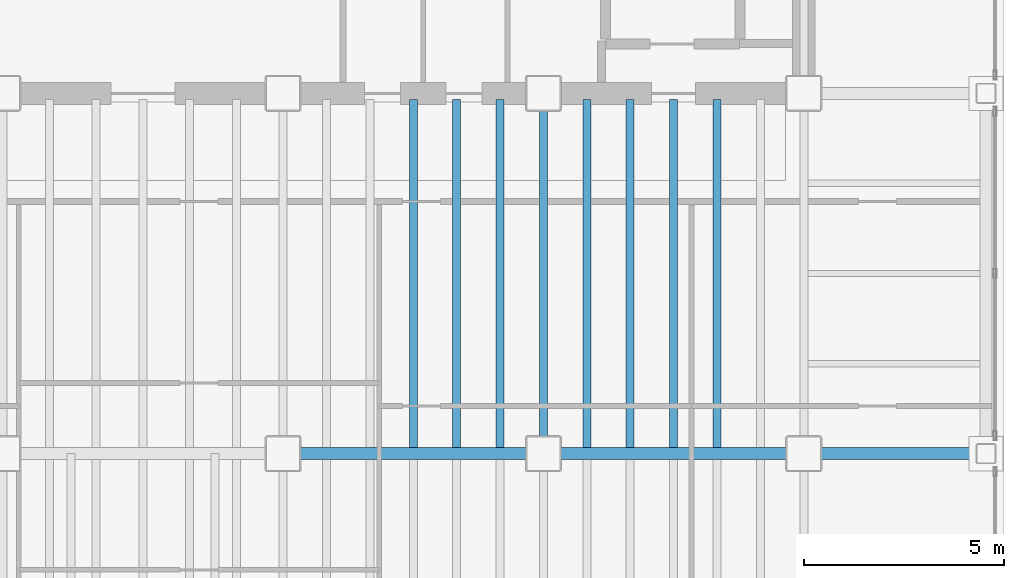
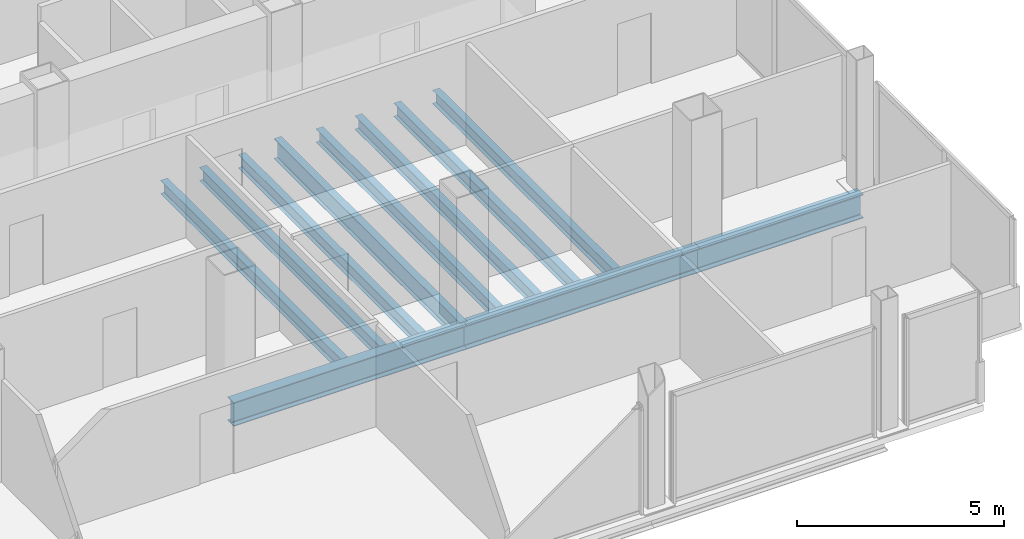
# One storey, part 15 of 22: 11 beams.
"""IFC4 building model written with IfcOpenShell, lengths in metres."""

from ifc_helpers import new_model, si_unit, direction, frame, origin, origin_2d, place, context, subcontext, project, spatial, i_section, extrude, material, material_profile, profile_set, type_object, element, save


model = new_model("IFC4")

# Units and contexts
model_context = context("Model", 3, precision=1e-05, world=origin(), true_north=direction((0.0, 1.0)))
body_context = subcontext(model_context, "Body", "Model", "MODEL_VIEW")
ifc_project = project(units=[si_unit("LENGTHUNIT", "METRE"), si_unit("AREAUNIT", "SQUARE_METRE"), si_unit("VOLUMEUNIT", "CUBIC_METRE"), si_unit("PLANEANGLEUNIT", "RADIAN"), si_unit("MASSUNIT", "GRAM", prefix="KILO")], contexts=[model_context])

# Site, building, storey
site_placement = place(None, origin())
site = spatial("IfcSite", under=ifc_project, at=site_placement, CompositionType="ELEMENT")
building_placement = place(site_placement, origin())
building = spatial("IfcBuilding", under=site, at=building_placement, Name="Noeulbin Bourse Tower", CompositionType="ELEMENT")
storey_placement = place(building_placement, frame((0.0, 0.0, 130.5)))
storey = spatial("IfcBuildingStorey", under=building, at=storey_placement, Name="L32", CompositionType="ELEMENT", Elevation=130.5)

# Beams
ifc_material = material(Name="Steel S355", Category="steel")
ifc_material_profile_1 = material_profile(ifc_material, i_section(OverallWidth=0.199951171875, OverallDepth=0.60009765625, WebThickness=0.010986328125, FlangeThickness=0.01708984375, FilletRadius=0.02197265625, at=origin_2d()), Name="H-600x200x11x17", Category="LoadBearing")
ifc_profile_set_1 = profile_set([ifc_material_profile_1], Name="Steel S355")
beam_type_1 = type_object("IfcBeamType", Name="BM-GRD-600", PredefinedType="USERDEFINED", material=ifc_profile_set_1)
beam_1_placement = place(storey_placement, frame((37.5, 20.0, -0.47998046875), z_axis=(0.0, 1.0, 0.0), x_axis=(-1.0, 0.0, 0.0)))
element("IfcBeam", 1, at=beam_1_placement, inside=storey, type_object=beam_type_1, Name="Tower Primary Girder NS L32-4.2", ObjectType="GIRDER", PredefinedType="USERDEFINED", context=body_context, shape_type="SweptSolid", body=[
    extrude(i_section(OverallWidth=0.199951171875, OverallDepth=0.60009765625, WebThickness=0.010986328125, FlangeThickness=0.01708984375, FilletRadius=0.02197265625, at=origin_2d()), origin(), (0.0, 0.0, 1.0), 9.0),
])
ifc_material_profile_2 = material_profile(ifc_material, i_section(OverallWidth=0.300048828125, OverallDepth=0.699951171875, WebThickness=0.012939453125, FlangeThickness=0.02392578125, FilletRadius=0.02392578125, at=origin_2d()), Name="H-700x300x13x24", Category="LoadBearing")
ifc_profile_set_2 = profile_set([ifc_material_profile_2], Name="Steel S355")
beam_type_2 = type_object("IfcBeamType", Name="BM-GRD-700", PredefinedType="USERDEFINED", material=ifc_profile_set_2)
for number, where, z_axis, x_axis, name in (
    (2, (31.0, 20.0, -0.530029296875), (1.0, 0.0, 0.0), (0.0, 1.0, 0.0), "Tower Primary Girder EW L32-1.4"),
    (3, (37.5, 20.0, -0.530029296875), (1.0, 0.0, 0.0), (0.0, 1.0, 0.0), "Tower Primary Girder EW L32-1.5"),
):
    element("IfcBeam", number, at=place(storey_placement, frame(where, z_axis=z_axis, x_axis=x_axis)), inside=storey, type_object=beam_type_2, Name=name, ObjectType="GIRDER", PredefinedType="USERDEFINED", context=body_context, shape_type="SweptSolid", body=[
        extrude(i_section(OverallWidth=0.300048828125, OverallDepth=0.699951171875, WebThickness=0.012939453125, FlangeThickness=0.02392578125, FilletRadius=0.02392578125, at=origin_2d()), origin(), (0.0, 0.0, 1.0), 6.5),
    ])
beam_2_placement = place(storey_placement, frame((44.0, 20.0, -0.530029296875), z_axis=(1.0, 0.0, 0.0), x_axis=(0.0, 1.0, 0.0)))
element("IfcBeam", 4, at=beam_2_placement, inside=storey, type_object=beam_type_2, Name="Tower Primary Girder EW L32-1.6", ObjectType="GIRDER", PredefinedType="USERDEFINED", context=body_context, shape_type="SweptSolid", body=[
    extrude(i_section(OverallWidth=0.300048828125, OverallDepth=0.699951171875, WebThickness=0.012939453125, FlangeThickness=0.02392578125, FilletRadius=0.02392578125, at=origin_2d()), origin(), (0.0, 0.0, 1.0), 4.550048828125),
])
ifc_material_profile_3 = material_profile(ifc_material, i_section(OverallWidth=0.199951171875, OverallDepth=0.39990234375, WebThickness=0.008056640625, FlangeThickness=0.012939453125, FilletRadius=0.01611328125, at=origin_2d()), Name="H-400x200x8x13", Category="LoadBearing")
ifc_profile_set_3 = profile_set([ifc_material_profile_3], Name="Steel S355")
beam_type_3 = type_object("IfcBeamType", Name="BM-SEC-400", PredefinedType="BEAM", material=ifc_profile_set_3)
for number, where, z_axis, x_axis, name in (
    (5, (34.25, 20.14990234375, -0.3798828125), (0.0, 1.0, 0.0), (-1.0, 0.0, 0.0), "Tower Composite Joist L32-32"),
    (6, (35.333251953125, 20.14990234375, -0.3798828125), (0.0, 1.0, 0.0), (-1.0, 0.0, 0.0), "Tower Composite Joist L32-34"),
    (7, (36.416748046875, 20.14990234375, -0.3798828125), (0.0, 1.0, 0.0), (-1.0, 0.0, 0.0), "Tower Composite Joist L32-36"),
    (8, (38.583251953125, 20.14990234375, -0.3798828125), (0.0, 1.0, 0.0), (-1.0, 0.0, 0.0), "Tower Composite Joist L32-38"),
    (9, (39.666748046875, 20.14990234375, -0.3798828125), (0.0, 1.0, 0.0), (-1.0, 0.0, 0.0), "Tower Composite Joist L32-40"),
    (10, (40.75, 20.14990234375, -0.3798828125), (0.0, 1.0, 0.0), (-1.0, 0.0, 0.0), "Tower Composite Joist L32-42"),
    (11, (41.833251953125, 20.14990234375, -0.3798828125), (0.0, 1.0, 0.0), (-1.0, 0.0, 0.0), "Tower Composite Joist L32-44"),
):
    element("IfcBeam", number, at=place(storey_placement, frame(where, z_axis=z_axis, x_axis=x_axis)), inside=storey, type_object=beam_type_3, Name=name, PredefinedType="BEAM", context=body_context, shape_type="SweptSolid", body=[
        extrude(i_section(OverallWidth=0.199951171875, OverallDepth=0.39990234375, WebThickness=0.008056640625, FlangeThickness=0.012939453125, FilletRadius=0.01611328125, at=origin_2d()), origin(), (0.0, 0.0, 1.0), 8.7001953125),
    ])

save(model, "model.ifc")
